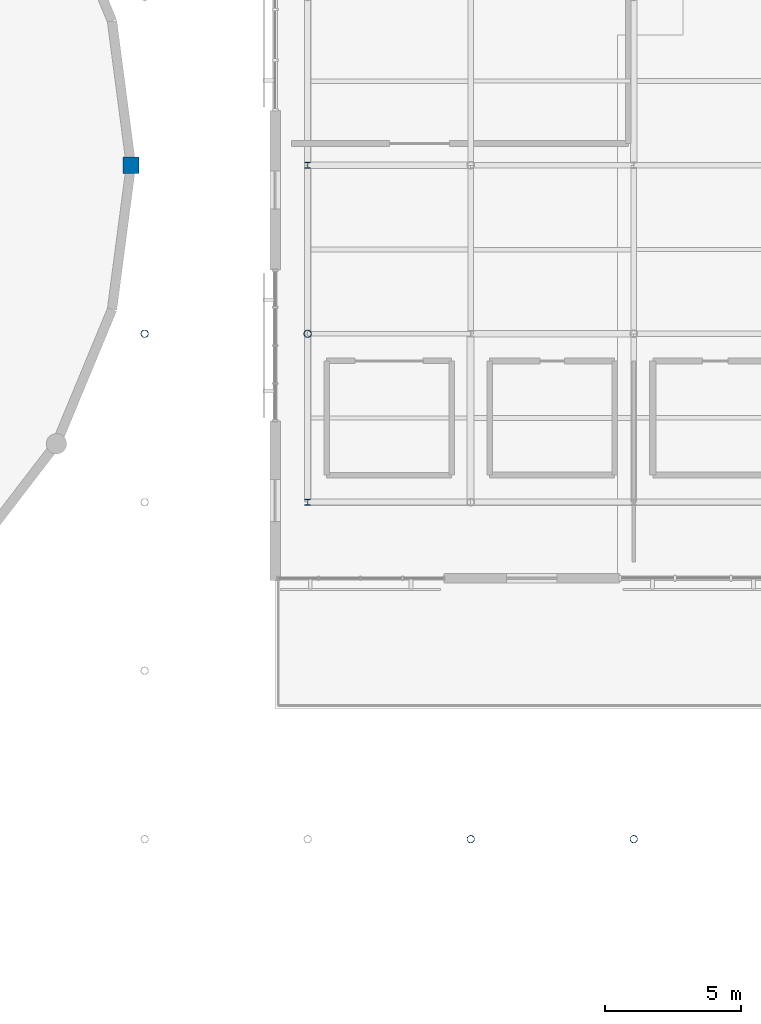
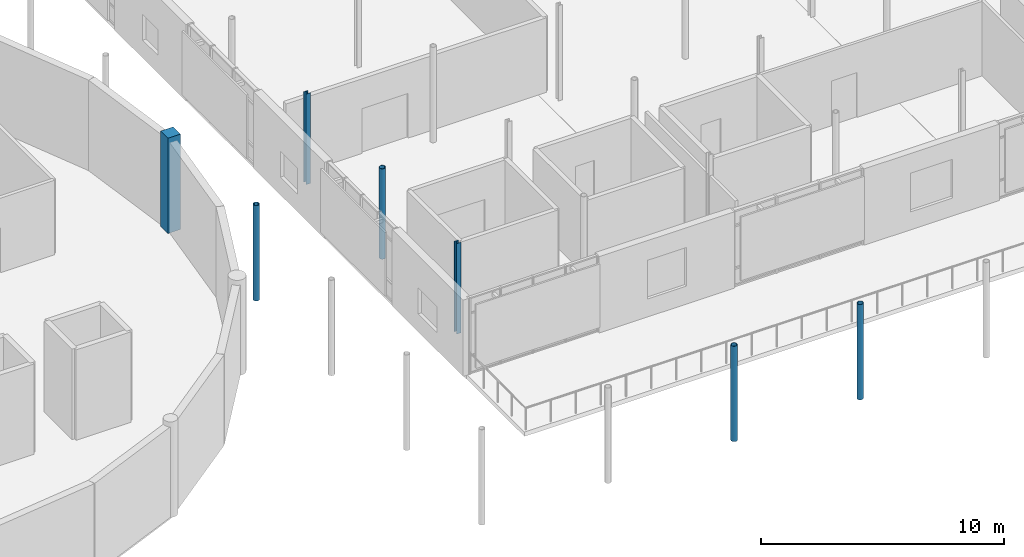
# One storey, part 5 of 66: 7 columns.
"""IFC4 building model written with IfcOpenShell, lengths in metres."""

from ifc_helpers import new_model, si_unit, direction, frame, origin, origin_2d, place, context, subcontext, project, spatial, rectangle, hollow_circle, i_section, extrude, material, material_profile, profile_set, type_object, element, save


model = new_model("IFC4")

# Units and contexts
model_context = context("Model", 3, precision=1e-05, world=origin(), true_north=direction((0.0, 1.0)))
body_context = subcontext(model_context, "Body", "Model", "MODEL_VIEW")
ifc_project = project(units=[si_unit("LENGTHUNIT", "METRE"), si_unit("AREAUNIT", "SQUARE_METRE"), si_unit("VOLUMEUNIT", "CUBIC_METRE"), si_unit("PLANEANGLEUNIT", "RADIAN"), si_unit("MASSUNIT", "GRAM", prefix="KILO")], contexts=[model_context])

# Site, building, storey
site_placement = place(None, origin())
site = spatial("IfcSite", under=ifc_project, at=site_placement, CompositionType="ELEMENT")
building_placement = place(site_placement, origin())
building = spatial("IfcBuilding", under=site, at=building_placement, Name="Mirzam Square Science Centre", CompositionType="ELEMENT")
storey_placement = place(building_placement, frame((0.0, 0.0, 15.60009765625)))
storey = spatial("IfcBuildingStorey", under=building, at=storey_placement, Name="L03", CompositionType="ELEMENT", Elevation=15.60009765625)

# Columns
ifc_material_1 = material(Name="Steel S355", Category="steel")
ifc_material_profile_1 = material_profile(ifc_material_1, hollow_circle(Radius=0.136474609375, WallThickness=0.010009765625, at=origin_2d()), Name="273.0x10.0CHS")
ifc_profile_set_1 = profile_set([ifc_material_profile_1], Name="Steel S355")
column_type_1 = type_object("IfcColumnType", Name="COL-CHS273", PredefinedType="COLUMN", material=ifc_profile_set_1)
column_1_placement = place(storey_placement, frame((102.0, 55.800048828125, 0.0), z_axis=(0.0, 0.0, 1.0), x_axis=(1.0, 0.0, 0.0)))
element("IfcColumn", 1, at=column_1_placement, inside=storey, type_object=column_type_1, Name="L03 column G18-10", PredefinedType="COLUMN", context=body_context, shape_type="SweptSolid", body=[
    extrude(hollow_circle(Radius=0.136474609375, WallThickness=0.010009765625, at=origin_2d()), origin(), (0.0, 0.0, 1.0), 4.7998046875),
])
column_2_placement = place(storey_placement, frame((108.0, 55.800048828125, 0.0), z_axis=(0.0, 0.0, 1.0), x_axis=(1.0, 0.0, 0.0)))
element("IfcColumn", 2, at=column_2_placement, inside=storey, type_object=column_type_1, Name="L03 column G19-10", PredefinedType="COLUMN", context=body_context, shape_type="SweptSolid", body=[
    extrude(hollow_circle(Radius=0.136474609375, WallThickness=0.010009765625, at=origin_2d()), origin(), (0.0, 0.0, 1.0), 4.5498046875),
])
for number, where, z_axis, x_axis, name in (
    (3, (114.0, 37.199951171875, 0.0), (0.0, 0.0, 1.0), (1.0, 0.0, 0.0), "L03 column G20-07"),
    (4, (120.0, 37.199951171875, 0.0), (0.0, 0.0, 1.0), (1.0, 0.0, 0.0), "L03 column G21-07"),
):
    element("IfcColumn", number, at=place(storey_placement, frame(where, z_axis=z_axis, x_axis=x_axis)), inside=storey, type_object=column_type_1, Name=name, PredefinedType="COLUMN", context=body_context, shape_type="SweptSolid", body=[
        extrude(hollow_circle(Radius=0.136474609375, WallThickness=0.010009765625, at=origin_2d()), origin(), (0.0, 0.0, 1.0), 4.7998046875),
    ])
ifc_material_profile_2 = material_profile(ifc_material_1, i_section(OverallWidth=0.205810546875, OverallDepth=0.209716796875, WebThickness=0.009521484375, FlangeThickness=0.01416015625, FilletRadius=0.01025390625, at=origin_2d()), Name="203x203x60UC")
ifc_profile_set_2 = profile_set([ifc_material_profile_2], Name="Steel S355")
column_type_2 = type_object("IfcColumnType", Name="COL-UC203A", PredefinedType="COLUMN", material=ifc_profile_set_2)
for number, where, z_axis, x_axis, name in (
    (5, (108.0, 49.60009765625, 0.0), (0.0, 0.0, 1.0), (1.0, 0.0, 0.0), "L03 column G19-09"),
    (6, (108.0, 62.0, 0.0), (0.0, 0.0, 1.0), (1.0, 0.0, 0.0), "L03 column G19-11"),
):
    element("IfcColumn", number, at=place(storey_placement, frame(where, z_axis=z_axis, x_axis=x_axis)), inside=storey, type_object=column_type_2, Name=name, PredefinedType="COLUMN", context=body_context, shape_type="SweptSolid", body=[
        extrude(i_section(OverallWidth=0.205810546875, OverallDepth=0.209716796875, WebThickness=0.009521484375, FlangeThickness=0.01416015625, FilletRadius=0.01025390625, at=origin_2d()), origin(), (0.0, 0.0, 1.0), 4.5498046875),
    ])
ifc_material_2 = material(Name="Concrete C45/55", Category="concrete")
ifc_material_profile_3 = material_profile(ifc_material_2, rectangle(XDim=0.60009765625, YDim=0.60009765625, at=origin_2d()), Name="RC600x600")
ifc_profile_set_3 = profile_set([ifc_material_profile_3], Name="Concrete C45/55")
column_type_3 = type_object("IfcColumnType", Name="PIL-RC600", PredefinedType="PILASTER", material=ifc_profile_set_3)
column_3_placement = place(storey_placement, frame((101.5, 62.0, 0.0), z_axis=(0.0, 0.0, 1.0), x_axis=(1.0, 0.0, 0.0)))
element("IfcColumn", 7, at=column_3_placement, inside=storey, type_object=column_type_3, Name="L03 drum pilaster 01", PredefinedType="PILASTER", context=body_context, shape_type="SweptSolid", body=[
    extrude(rectangle(XDim=0.60009765625, YDim=0.60009765625, at=origin_2d()), origin(), (0.0, 0.0, 1.0), 4.7998046875),
])

save(model, "model.ifc")
